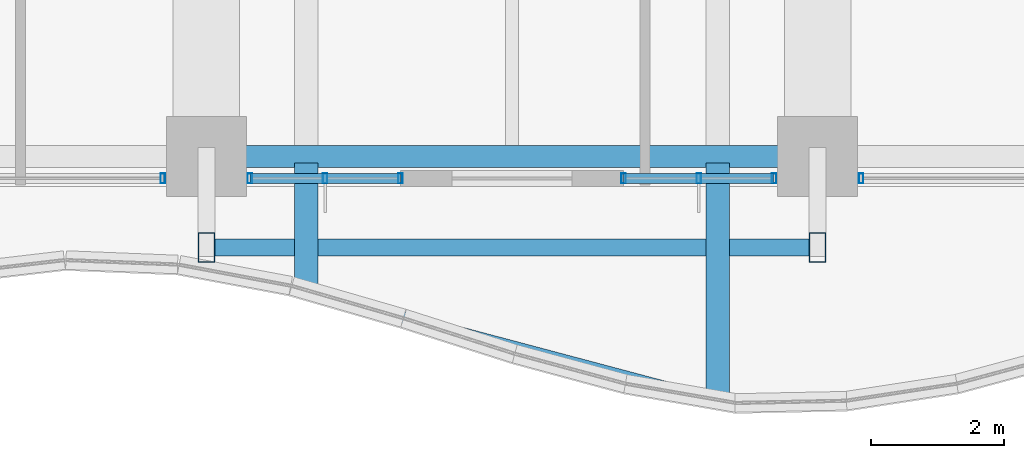
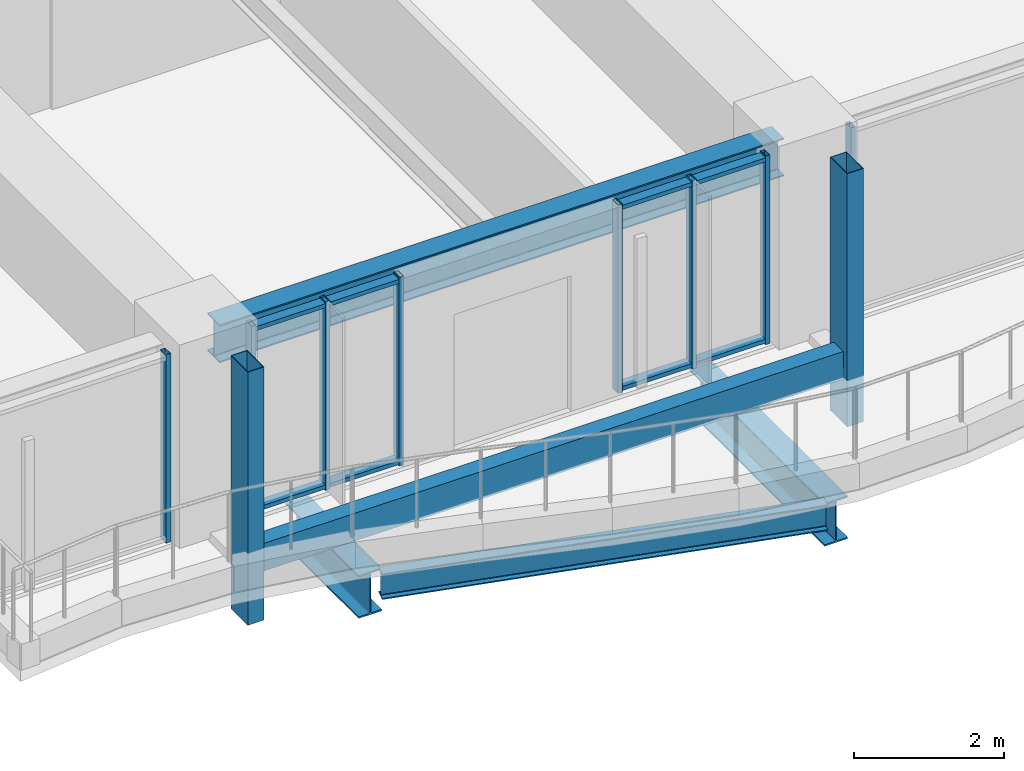
# One storey, part 5 of 37: 15 members, 4 beams, 4 elements without a shape of their own.
"""IFC4 building model written with IfcOpenShell, lengths in metres."""

from ifc_helpers import new_model, si_unit, direction, frame, origin, origin_2d, place, context, subcontext, project, spatial, hollow_rectangle, i_section, extrude, material, material_profile, profile_set, type_object, element, aggregate, save


model = new_model("IFC4")

# Units and contexts
model_context = context("Model", 3, precision=1e-05, world=origin(), true_north=direction((0.0, 1.0)))
body_context = subcontext(model_context, "Body", "Model", "MODEL_VIEW")
ifc_project = project(units=[si_unit("LENGTHUNIT", "METRE"), si_unit("AREAUNIT", "SQUARE_METRE"), si_unit("VOLUMEUNIT", "CUBIC_METRE"), si_unit("PLANEANGLEUNIT", "RADIAN"), si_unit("MASSUNIT", "GRAM", prefix="KILO")], contexts=[model_context])

# Site, building, storey
site_placement = place(None, origin())
site = spatial("IfcSite", under=ifc_project, at=site_placement, CompositionType="ELEMENT")
building_placement = place(site_placement, origin())
building = spatial("IfcBuilding", under=site, at=building_placement, Name="Kolvaren Belvedere", CompositionType="ELEMENT")
storey_placement = place(building_placement, frame((0.0, 0.0, 43.60009765625)))
storey = spatial("IfcBuildingStorey", under=building, at=storey_placement, Name="L12", CompositionType="ELEMENT", Elevation=43.60009765625)

# Beams
ifc_material_1 = material(Name="Structural steel ASTM A992 Grade 50", Category="steel")
ifc_material_profile_1 = material_profile(ifc_material_1, i_section(OverallWidth=0.35498046875, OverallDepth=0.696044921875, WebThickness=0.015380859375, FlangeThickness=0.02490234375, FilletRadius=0.02197265625, at=origin_2d()), Name="W27X146")
ifc_profile_set_1 = profile_set([ifc_material_profile_1], Name="Structural steel ASTM A992 Grade 50")
beam_type_1 = type_object("IfcBeamType", Name="BM-CANT-BAL", PredefinedType="BEAM", material=ifc_profile_set_1)
beam_1_placement = place(storey_placement, frame((-3.10009765625, -21.64501953125, -0.588134765625), z_axis=(0.0, -1.0, 0.0), x_axis=(1.0, 0.0, 0.0)))
element("IfcBeam", 1, at=beam_1_placement, inside=storey, type_object=beam_type_1, Name="L12 Planted Balcony Cantilever BAL-S-1", PredefinedType="BEAM", context=body_context, shape_type="SweptSolid", body=[
    extrude(i_section(OverallWidth=0.35498046875, OverallDepth=0.696044921875, WebThickness=0.015380859375, FlangeThickness=0.02490234375, FilletRadius=0.02197265625, at=origin_2d()), origin(), (0.0, 0.0, 1.0), 1.94189453125),
])
beam_2_placement = place(storey_placement, frame((3.10009765625, -21.64501953125, -0.588134765625), z_axis=(0.0, -1.0, 0.0), x_axis=(1.0, 0.0, 0.0)))
element("IfcBeam", 2, at=beam_2_placement, inside=storey, type_object=beam_type_1, Name="L12 Planted Balcony Cantilever BAL-S-2", PredefinedType="BEAM", context=body_context, shape_type="SweptSolid", body=[
    extrude(i_section(OverallWidth=0.35498046875, OverallDepth=0.696044921875, WebThickness=0.015380859375, FlangeThickness=0.02490234375, FilletRadius=0.02197265625, at=origin_2d()), origin(), (0.0, 0.0, 1.0), 3.589599609375),
])
ifc_material_2 = material(Name="Structural steel ASTM A992 Grade 50", Category="steel")
ifc_material_profile_2 = material_profile(ifc_material_2, i_section(OverallWidth=0.180908203125, OverallDepth=0.4169921875, WebThickness=0.010986328125, FlangeThickness=0.018310546875, FilletRadius=0.013916015625, at=origin_2d()), Name="W16X57")
ifc_profile_set_2 = profile_set([ifc_material_profile_2], Name="Structural steel ASTM A992 Grade 50")
beam_type_2 = type_object("IfcBeamType", Name="BM-EDGE-W16X57", PredefinedType="BEAM", material=ifc_profile_set_2)
beam_3_placement = place(storey_placement, frame((-2.964599609375, -23.622802734375, -0.448486328125), z_axis=(0.966445311896, -0.256872456901, 0.0), x_axis=(0.256872456901, 0.966445311896, 0.0)))
element("IfcBeam", 3, at=beam_3_placement, inside=storey, type_object=beam_type_2, Name="L12 Balcony Tip Header Beam BAL-S", PredefinedType="BEAM", context=body_context, shape_type="SweptSolid", body=[
    extrude(i_section(OverallWidth=0.180908203125, OverallDepth=0.4169921875, WebThickness=0.010986328125, FlangeThickness=0.018310546875, FilletRadius=0.013916015625, at=origin_2d()), origin(), (0.0, 0.0, 1.0), 6.135009765625),
])
ifc_material_3 = material(Name="Structural steel ASTM A992 Grade 50", Category="steel")
ifc_material_profile_3 = material_profile(ifc_material_3, i_section(OverallWidth=0.324951171875, OverallDepth=0.615966796875, WebThickness=0.013916015625, FlangeThickness=0.021484375, FilletRadius=0.02001953125, at=origin_2d()), Name="W24X117")
ifc_profile_set_3 = profile_set([ifc_material_profile_3], Name="Structural steel ASTM A992 Grade 50")
beam_type_3 = type_object("IfcBeamType", Name="BM-SPAN-W24X117", PredefinedType="SPANDREL", material=ifc_profile_set_3)
beam_4_placement = place(storey_placement, frame((-4.330078125, -21.550048828125, 2.751953125), z_axis=(1.0, 0.0, 0.0), x_axis=(0.0, 1.0, 0.0)))
element("IfcBeam", 4, at=beam_4_placement, inside=storey, type_object=beam_type_3, Name="L12 Perimeter Spandrel S2-S3", PredefinedType="SPANDREL", context=body_context, shape_type="SweptSolid", body=[
    extrude(i_section(OverallWidth=0.324951171875, OverallDepth=0.615966796875, WebThickness=0.013916015625, FlangeThickness=0.021484375, FilletRadius=0.02001953125, at=origin_2d()), origin(), (0.0, 0.0, 1.0), 8.66015625),
])

# Curtain wall, member
ifc_material_4 = material(Name="Anodised pale-metal aluminium AA 6063-T6", Category="aluminium")
curtain_wall_type = type_object("IfcCurtainWallType", Name="CW-Z1-LOW", PredefinedType="NOTDEFINED", material=ifc_material_4)
curtain_wall_1_placement = place(storey_placement, origin())
curtain_wall_1 = element("IfcCurtainWall", 5, at=curtain_wall_1_placement, inside=storey, type_object=curtain_wall_type, Name="L12 Unitised Curtain Wall FCW-L12-S1-B1", PredefinedType="NOTDEFINED")
ifc_material_5 = material(Name="Anodised pale-metal aluminium AA 6063-T6", Category="aluminium")
ifc_material_profile_4 = material_profile(ifc_material_5, hollow_rectangle(XDim=0.070068359375, YDim=0.14990234375, WallThickness=0.004150390625, at=origin_2d()), Name="ALU-MUL-150X70")
ifc_profile_set_4 = profile_set([ifc_material_profile_4], Name="Anodised pale-metal aluminium AA 6063-T6")
member_type_1 = type_object("IfcMemberType", Name="CW-MUL-150", PredefinedType="MULLION", material=ifc_profile_set_4)
member_1_placement = place(storey_placement, frame((5.2548828125, -21.8798828125, 0.0), z_axis=(0.0, 0.0, 1.0), x_axis=(1.0, 0.0, 0.0)))
member_1 = element("IfcMember", 6, at=member_1_placement, type_object=member_type_1, Name="FCW-L12-S1-B1 Unitised Mullion 3", PredefinedType="MULLION", context=body_context, shape_type="SweptSolid", body=[
    extrude(hollow_rectangle(XDim=0.070068359375, YDim=0.14990234375, WallThickness=0.004150390625, at=origin_2d()), origin(), (0.0, 0.0, 1.0), 3.059814453125),
])
aggregate(curtain_wall_1, [member_1])

# Curtain wall, members
curtain_wall_2_placement = place(storey_placement, origin())
curtain_wall_2 = element("IfcCurtainWall", 7, at=curtain_wall_2_placement, inside=storey, type_object=curtain_wall_type, Name="L12 Unitised Curtain Wall FCW-L12-S1-B2", PredefinedType="NOTDEFINED")
member_2_placement = place(storey_placement, frame((3.945068359375, -21.8798828125, 0.0), z_axis=(0.0, 0.0, 1.0), x_axis=(1.0, 0.0, 0.0)))
member_2 = element("IfcMember", 8, at=member_2_placement, type_object=member_type_1, Name="FCW-L12-S1-B2 Unitised Mullion 1", PredefinedType="MULLION", context=body_context, shape_type="SweptSolid", body=[
    extrude(hollow_rectangle(XDim=0.070068359375, YDim=0.14990234375, WallThickness=0.004150390625, at=origin_2d()), origin(), (0.0, 0.0, 1.0), 3.059814453125),
])
member_3_placement = place(storey_placement, frame((2.8125, -21.8798828125, 0.0), z_axis=(0.0, 0.0, 1.0), x_axis=(1.0, 0.0, 0.0)))
member_3 = element("IfcMember", 9, at=member_3_placement, type_object=member_type_1, Name="FCW-L12-S1-B2 Unitised Mullion 2", PredefinedType="MULLION", context=body_context, shape_type="SweptSolid", body=[
    extrude(hollow_rectangle(XDim=0.070068359375, YDim=0.14990234375, WallThickness=0.004150390625, at=origin_2d()), origin(), (0.0, 0.0, 1.0), 3.059814453125),
])
member_4_placement = place(storey_placement, frame((1.679931640625, -21.8798828125, 0.0), z_axis=(0.0, 0.0, 1.0), x_axis=(1.0, 0.0, 0.0)))
member_4 = element("IfcMember", 10, at=member_4_placement, type_object=member_type_1, Name="FCW-L12-S1-B2 Unitised Mullion 3", PredefinedType="MULLION", context=body_context, shape_type="SweptSolid", body=[
    extrude(hollow_rectangle(XDim=0.070068359375, YDim=0.14990234375, WallThickness=0.004150390625, at=origin_2d()), origin(), (0.0, 0.0, 1.0), 3.059814453125),
])

curtain_wall_3_placement = place(storey_placement, origin())
curtain_wall_3 = element("IfcCurtainWall", 11, at=curtain_wall_3_placement, inside=storey, type_object=curtain_wall_type, Name="L12 Unitised Curtain Wall FCW-L12-S2-B1", PredefinedType="NOTDEFINED")
member_5_placement = place(storey_placement, frame((-1.679931640625, -21.8798828125, 0.0), z_axis=(0.0, 0.0, 1.0), x_axis=(1.0, 0.0, 0.0)))
member_5 = element("IfcMember", 12, at=member_5_placement, type_object=member_type_1, Name="FCW-L12-S2-B1 Unitised Mullion 1", PredefinedType="MULLION", context=body_context, shape_type="SweptSolid", body=[
    extrude(hollow_rectangle(XDim=0.070068359375, YDim=0.14990234375, WallThickness=0.004150390625, at=origin_2d()), origin(), (0.0, 0.0, 1.0), 3.059814453125),
])
member_6_placement = place(storey_placement, frame((-2.8125, -21.8798828125, 0.0), z_axis=(0.0, 0.0, 1.0), x_axis=(1.0, 0.0, 0.0)))
member_6 = element("IfcMember", 13, at=member_6_placement, type_object=member_type_1, Name="FCW-L12-S2-B1 Unitised Mullion 2", PredefinedType="MULLION", context=body_context, shape_type="SweptSolid", body=[
    extrude(hollow_rectangle(XDim=0.070068359375, YDim=0.14990234375, WallThickness=0.004150390625, at=origin_2d()), origin(), (0.0, 0.0, 1.0), 3.059814453125),
])
member_7_placement = place(storey_placement, frame((-3.945068359375, -21.8798828125, 0.0), z_axis=(0.0, 0.0, 1.0), x_axis=(1.0, 0.0, 0.0)))
member_7 = element("IfcMember", 14, at=member_7_placement, type_object=member_type_1, Name="FCW-L12-S2-B1 Unitised Mullion 3", PredefinedType="MULLION", context=body_context, shape_type="SweptSolid", body=[
    extrude(hollow_rectangle(XDim=0.070068359375, YDim=0.14990234375, WallThickness=0.004150390625, at=origin_2d()), origin(), (0.0, 0.0, 1.0), 3.059814453125),
])

# Curtain wall, member
curtain_wall_4_placement = place(storey_placement, origin())
curtain_wall_4 = element("IfcCurtainWall", 15, at=curtain_wall_4_placement, inside=storey, type_object=curtain_wall_type, Name="L12 Unitised Curtain Wall FCW-L12-S2-B2", PredefinedType="NOTDEFINED")
member_8_placement = place(storey_placement, frame((-5.2548828125, -21.8798828125, 0.0), z_axis=(0.0, 0.0, 1.0), x_axis=(1.0, 0.0, 0.0)))
member_8 = element("IfcMember", 16, at=member_8_placement, type_object=member_type_1, Name="FCW-L12-S2-B2 Unitised Mullion 1", PredefinedType="MULLION", context=body_context, shape_type="SweptSolid", body=[
    extrude(hollow_rectangle(XDim=0.070068359375, YDim=0.14990234375, WallThickness=0.004150390625, at=origin_2d()), origin(), (0.0, 0.0, 1.0), 3.059814453125),
])
aggregate(curtain_wall_4, [member_8])

# Member
ifc_material_6 = material(Name="Anodised pale-metal aluminium AA 6063-T6", Category="aluminium")
ifc_material_profile_5 = material_profile(ifc_material_6, hollow_rectangle(XDim=0.06494140625, YDim=0.14990234375, WallThickness=0.00390625, at=origin_2d()), Name="ALU-TRN-150X65")
ifc_profile_set_5 = profile_set([ifc_material_profile_5], Name="Anodised pale-metal aluminium AA 6063-T6")
member_type_2 = type_object("IfcMemberType", Name="CW-TRN-150", PredefinedType="USERDEFINED", material=ifc_profile_set_5)
member_9_placement = place(storey_placement, frame((3.945068359375, -21.8798828125, 0.059814453125), z_axis=(-1.0, 0.0, 0.0), x_axis=(0.0, 0.0, 1.0)))
member_9 = element("IfcMember", 17, at=member_9_placement, type_object=member_type_2, Name="FCW-L12-S1-B2 Sill Transom", ObjectType="TRANSOM", PredefinedType="USERDEFINED", context=body_context, shape_type="SweptSolid", body=[
    extrude(hollow_rectangle(XDim=0.06494140625, YDim=0.14990234375, WallThickness=0.00390625, at=origin_2d()), origin(), (0.0, 0.0, 1.0), 2.26513671875),
])

member_10_placement = place(storey_placement, frame((3.945068359375, -21.8798828125, 3.0), z_axis=(-1.0, 0.0, 0.0), x_axis=(0.0, 0.0, 1.0)))
member_10 = element("IfcMember", 18, at=member_10_placement, type_object=member_type_2, Name="FCW-L12-S1-B2 Head Transom", ObjectType="TRANSOM", PredefinedType="USERDEFINED", context=body_context, shape_type="SweptSolid", body=[
    extrude(hollow_rectangle(XDim=0.06494140625, YDim=0.14990234375, WallThickness=0.00390625, at=origin_2d()), origin(), (0.0, 0.0, 1.0), 2.26513671875),
])

aggregate(curtain_wall_2, [member_2, member_3, member_4, member_9, member_10])

member_11_placement = place(storey_placement, frame((-1.679931640625, -21.8798828125, 0.059814453125), z_axis=(-1.0, 0.0, 0.0), x_axis=(0.0, 0.0, 1.0)))
member_11 = element("IfcMember", 19, at=member_11_placement, type_object=member_type_2, Name="FCW-L12-S2-B1 Sill Transom", ObjectType="TRANSOM", PredefinedType="USERDEFINED", context=body_context, shape_type="SweptSolid", body=[
    extrude(hollow_rectangle(XDim=0.06494140625, YDim=0.14990234375, WallThickness=0.00390625, at=origin_2d()), origin(), (0.0, 0.0, 1.0), 2.26513671875),
])

member_12_placement = place(storey_placement, frame((-1.679931640625, -21.8798828125, 3.0), z_axis=(-1.0, 0.0, 0.0), x_axis=(0.0, 0.0, 1.0)))
member_12 = element("IfcMember", 20, at=member_12_placement, type_object=member_type_2, Name="FCW-L12-S2-B1 Head Transom", ObjectType="TRANSOM", PredefinedType="USERDEFINED", context=body_context, shape_type="SweptSolid", body=[
    extrude(hollow_rectangle(XDim=0.06494140625, YDim=0.14990234375, WallThickness=0.00390625, at=origin_2d()), origin(), (0.0, 0.0, 1.0), 2.26513671875),
])

aggregate(curtain_wall_3, [member_5, member_6, member_7, member_11, member_12])

# Members
ifc_material_7 = material(Name="Anodised pale-metal aluminium AA 6063-T6", Category="aluminium")
ifc_material_profile_6 = material_profile(ifc_material_7, hollow_rectangle(XDim=0.25, YDim=0.449951171875, WallThickness=0.008544921875, at=origin_2d()), Name="ALU-PF-450X250")
ifc_profile_set_6 = profile_set([ifc_material_profile_6], Name="Anodised pale-metal aluminium AA 6063-T6")
member_type_3 = type_object("IfcMemberType", Name="PF-FRAME-450", PredefinedType="USERDEFINED", material=ifc_profile_set_6)
for number, where, z_axis, x_axis, name in (
    (21, (4.60009765625, -22.919921875, -0.81005859375), (0.0, 0.0, 1.0), (1.0, 0.0, 0.0), "L12 Outboard Picture-Frame Vertical S1"),
    (22, (-4.60009765625, -22.919921875, -0.81005859375), (0.0, 0.0, 1.0), (1.0, 0.0, 0.0), "L12 Outboard Picture-Frame Vertical S2"),
):
    element("IfcMember", number, at=place(storey_placement, frame(where, z_axis=z_axis, x_axis=x_axis)), inside=storey, type_object=member_type_3, Name=name, ObjectType="PICTURE FRAME FIN", PredefinedType="USERDEFINED", context=body_context, shape_type="SweptSolid", body=[
        extrude(hollow_rectangle(XDim=0.25, YDim=0.449951171875, WallThickness=0.008544921875, at=origin_2d()), origin(), (0.0, 0.0, 1.0), 4.10986328125),
    ])
member_13_placement = place(storey_placement, frame((4.60009765625, -22.919921875, 0.1298828125), z_axis=(-1.0, 0.0, 0.0), x_axis=(0.0, -1.0, 0.0)))
element("IfcMember", 23, at=member_13_placement, inside=storey, type_object=member_type_3, Name="L12 Outboard Picture-Frame Sill S", ObjectType="PICTURE FRAME FIN", PredefinedType="USERDEFINED", context=body_context, shape_type="SweptSolid", body=[
    extrude(hollow_rectangle(XDim=0.25, YDim=0.449951171875, WallThickness=0.008544921875, at=origin_2d()), origin(), (0.0, 0.0, 1.0), 9.2001953125),
])

save(model, "model.ifc")
